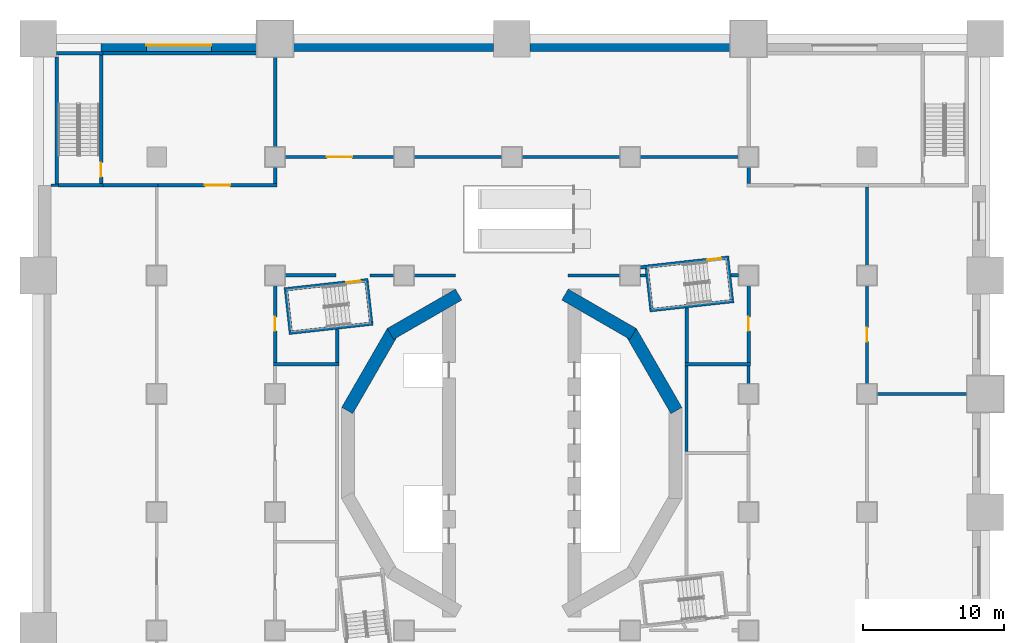
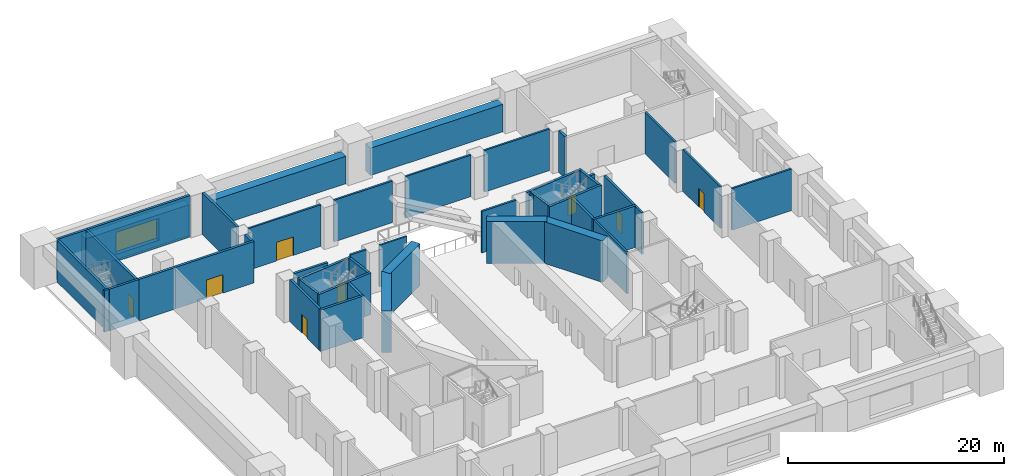
# One storey, part 4 of 18: 47 walls, 8 doors, 1 window, 9 openings.
"""IFC4 building model written with IfcOpenShell, lengths in metres."""

from ifc_helpers import new_model, si_unit, direction, frame, frame_2d, origin, place, context, subcontext, project, spatial, rectangle, extrude, material, layer, layer_set, type_object, element, fill, save


model = new_model("IFC4")

# Units and contexts
model_context = context("Model", 3, precision=1e-05, world=origin(), true_north=direction((0.0, 1.0)))
body_context = subcontext(model_context, "Body", "Model", "MODEL_VIEW")
ifc_project = project(units=[si_unit("LENGTHUNIT", "METRE"), si_unit("AREAUNIT", "SQUARE_METRE"), si_unit("VOLUMEUNIT", "CUBIC_METRE"), si_unit("PLANEANGLEUNIT", "RADIAN"), si_unit("MASSUNIT", "GRAM", prefix="KILO")], contexts=[model_context])

# Site, building, storey
site_placement = place(None, origin())
site = spatial("IfcSite", under=ifc_project, at=site_placement, CompositionType="ELEMENT")
building_placement = place(site_placement, origin())
building = spatial("IfcBuilding", under=site, at=building_placement, Name="Cantera Rosa Tower", CompositionType="ELEMENT")
storey_placement = place(building_placement, frame((0.0, 0.0, 17.0)))
storey = spatial("IfcBuildingStorey", under=building, at=storey_placement, Name="L02", CompositionType="ELEMENT", Elevation=17.0)

# Walls
ifc_material_1 = material(Name="Masonry blockwork", Category="masonry")
ifc_layer_1 = layer(ifc_material_1, 0.199951171875)
ifc_layer_set_1 = layer_set([ifc_layer_1], Name="Blockwork partition 200")
wall_type_1 = type_object("IfcWallType", Name="Blockwork partition 200", PredefinedType="PARTITIONING", material=ifc_layer_set_1)
wall_1_placement = place(storey_placement, frame((-10.07470703125, 12.60009765625, 0.0), z_axis=(0.0, 0.0, 1.0), x_axis=(1.0, 0.0, 0.0)))
element("IfcWall", 1, at=wall_1_placement, inside=storey, type_object=wall_type_1, Name="Partition L02-13", PredefinedType="PARTITIONING", context=body_context, shape_type="SweptSolid", body=[
    extrude(rectangle(XDim=1.724609375, YDim=0.199951171875, at=frame_2d((0.8623046875, 0.0))), origin(), (0.0, 0.0, 1.0), 4.699951171875),
])
wall_2_placement = place(storey_placement, frame((-6.949951171875, 12.60009765625, 0.0), z_axis=(0.0, 0.0, 1.0), x_axis=(1.0, 0.0, 0.0)))
element("IfcWall", 2, at=wall_2_placement, inside=storey, type_object=wall_type_1, Name="Partition L02-14", PredefinedType="PARTITIONING", context=body_context, shape_type="SweptSolid", body=[
    extrude(rectangle(XDim=2.949951171875, YDim=0.199951171875, at=frame_2d((1.47509765625, 0.0))), origin(), (0.0, 0.0, 1.0), 4.699951171875),
])
wall_3_placement = place(storey_placement, frame((4.0, 12.60009765625, 0.0), z_axis=(0.0, 0.0, 1.0), x_axis=(1.0, 0.0, 0.0)))
element("IfcWall", 3, at=wall_3_placement, inside=storey, type_object=wall_type_1, Name="Partition L02-15", PredefinedType="PARTITIONING", context=body_context, shape_type="SweptSolid", body=[
    extrude(rectangle(XDim=3.699951171875, YDim=0.199951171875, at=frame_2d((1.85009765625, 0.0))), origin(), (0.0, 0.0, 1.0), 4.699951171875),
])
wall_4_placement = place(storey_placement, frame((9.10009765625, 12.60009765625, 0.0), z_axis=(0.0, 0.0, 1.0), x_axis=(1.0, 0.0, 0.0)))
element("IfcWall", 4, at=wall_4_placement, inside=storey, type_object=wall_type_1, Name="Partition L02-16", PredefinedType="PARTITIONING", context=body_context, shape_type="SweptSolid", body=[
    extrude(rectangle(XDim=0.414794921875, YDim=0.199951171875, at=frame_2d((0.20751953125, 0.0))), origin(), (0.0, 0.0, 1.0), 4.699951171875),
])
wall_5_placement = place(storey_placement, frame((12.39990234375, 0.10009765625, 0.0), z_axis=(0.0, 0.0, 1.0), x_axis=(0.0, 1.0, 0.0)))
element("IfcWall", 5, at=wall_5_placement, inside=storey, type_object=wall_type_1, Name="Partition L02-20", PredefinedType="PARTITIONING", context=body_context, shape_type="SweptSolid", body=[
    extrude(rectangle(XDim=6.074951171875, YDim=0.199951171875, at=frame_2d((3.03759765625, 0.0))), origin(), (0.0, 0.0, 1.0), 4.699951171875),
])
wall_6_placement = place(storey_placement, frame((16.800048828125, 4.89990234375, 0.0), z_axis=(0.0, 0.0, 1.0), x_axis=(0.0, 1.0, 0.0)))
element("IfcWall", 6, at=wall_6_placement, inside=storey, type_object=wall_type_1, Name="Partition L02-28", PredefinedType="PARTITIONING", context=body_context, shape_type="SweptSolid", body=[
    extrude(rectangle(XDim=1.275146484375, YDim=0.199951171875, at=frame_2d((0.6376953125, 0.0))), origin(), (0.0, 0.0, 1.0), 4.699951171875),
])
wall_7_placement = place(storey_placement, frame((-32.699951171875, 19.0, 0.0), z_axis=(0.0, 0.0, 1.0), x_axis=(1.0, 0.0, 0.0)))
element("IfcWall", 7, at=wall_7_placement, inside=storey, type_object=wall_type_1, Name="Partition L02-54", PredefinedType="PARTITIONING", context=body_context, shape_type="SweptSolid", body=[
    extrude(rectangle(XDim=0.52490234375, YDim=0.199951171875, at=frame_2d((0.262451171875, 0.0))), origin(), (0.0, 0.0, 1.0), 4.699951171875),
])

# Wall, opening, door
wall_8_placement = place(storey_placement, frame((-16.10009765625, 21.0, 0.0), z_axis=(0.0, 0.0, 1.0), x_axis=(1.0, 0.0, 0.0)))
wall_8 = element("IfcWall", 8, at=wall_8_placement, inside=storey, type_object=wall_type_1, Name="Partition L02-76", PredefinedType="PARTITIONING", context=body_context, shape_type="SweptSolid", body=[
    extrude(rectangle(XDim=7.75, YDim=0.199951171875, at=frame_2d((3.875, 0.0))), origin(), (0.0, 0.0, 1.0), 4.699951171875),
])
opening_1_placement = place(wall_8_placement, frame((2.97509765625, 0.0, 0.0)))
opening_1 = element("IfcOpeningElement", 9, at=opening_1_placement, cuts=wall_8, Name="Opening L02-001", PredefinedType="OPENING", context=body_context, shape_type="SweptSolid", body=[
    extrude(rectangle(XDim=1.800048828125, YDim=2.10009765625, at=frame_2d((0.89990234375, 1.050048828125))), frame((0.0, 0.10986328125, 0.0), z_axis=(0.0, -1.0, 0.0), x_axis=(1.0, 0.0, 0.0)), (0.0, 0.0, 1.0), 0.219970703125),
])
ifc_material_2 = material(Name="Timber", Category="wood")
door_type_1 = type_object("IfcDoorType", Name="Double door 1800x2100", OperationType="NOTDEFINED", PredefinedType="DOOR", material=ifc_material_2)
door_1_placement = place(opening_1_placement, origin())
door_1 = element("IfcDoor", 10, at=door_1_placement, inside=storey, type_object=door_type_1, Name="Door L02-001", OperationType="DOUBLE_DOOR_SINGLE_SWING", OverallHeight=2.10009765625, OverallWidth=1.800048828125, PredefinedType="DOOR", context=body_context, shape_type="SweptSolid", body=[
    extrude(rectangle(XDim=1.800048828125, YDim=2.10009765625, at=frame_2d((0.89990234375, 1.050048828125))), frame((0.0, 0.02490234375, 0.0), z_axis=(0.0, -1.0, 0.0), x_axis=(1.0, 0.0, 0.0)), (0.0, 0.0, 1.0), 0.050048828125),
])
fill(opening_1, door_1)

# Walls
wall_9_placement = place(storey_placement, frame((-6.949951171875, 21.0, 0.0), z_axis=(0.0, 0.0, 1.0), x_axis=(1.0, 0.0, 0.0)))
element("IfcWall", 11, at=wall_9_placement, inside=storey, type_object=wall_type_1, Name="Partition L02-77", PredefinedType="PARTITIONING", context=body_context, shape_type="SweptSolid", body=[
    extrude(rectangle(XDim=6.25, YDim=0.199951171875, at=frame_2d((3.125, 0.0))), origin(), (0.0, 0.0, 1.0), 4.699951171875),
])
for number, where, z_axis, x_axis, name in (
    (12, (0.699951171875, 21.0, 0.0), (0.0, 0.0, 1.0), (1.0, 0.0, 0.0), "Partition L02-78"),
    (13, (9.10009765625, 21.0, 0.0), (0.0, 0.0, 1.0), (1.0, 0.0, 0.0), "Partition L02-79"),
):
    element("IfcWall", number, at=place(storey_placement, frame(where, z_axis=z_axis, x_axis=x_axis)), inside=storey, type_object=wall_type_1, Name=name, PredefinedType="PARTITIONING", context=body_context, shape_type="SweptSolid", body=[
        extrude(rectangle(XDim=7.0, YDim=0.199951171875, at=frame_2d((3.5, 0.0))), origin(), (0.0, 0.0, 1.0), 4.699951171875),
    ])

# Wall, opening, door
wall_10_placement = place(storey_placement, frame((25.199951171875, 4.89990234375, 0.0), z_axis=(0.0, 0.0, 1.0), x_axis=(0.0, 1.0, 0.0)))
wall_10 = element("IfcWall", 14, at=wall_10_placement, inside=storey, type_object=wall_type_1, Name="Partition L02-88", PredefinedType="PARTITIONING", context=body_context, shape_type="SweptSolid", body=[
    extrude(rectangle(XDim=7.0, YDim=0.199951171875, at=frame_2d((3.5, 0.0))), origin(), (0.0, 0.0, 1.0), 4.699951171875),
])
opening_2_placement = place(wall_10_placement, frame((3.0, 0.0, 0.0)))
opening_2 = element("IfcOpeningElement", 15, at=opening_2_placement, cuts=wall_10, Name="Opening L02-006", PredefinedType="OPENING", context=body_context, shape_type="SweptSolid", body=[
    extrude(rectangle(XDim=1.0, YDim=2.10009765625, at=frame_2d((0.5, 1.050048828125))), frame((0.0, 0.10986328125, 0.0), z_axis=(0.0, -1.0, 0.0), x_axis=(1.0, 0.0, 0.0)), (0.0, 0.0, 1.0), 0.219970703125),
])
ifc_material_3 = material(Name="Timber", Category="wood")
door_type_2 = type_object("IfcDoorType", Name="Door 1000x2100", OperationType="NOTDEFINED", PredefinedType="DOOR", material=ifc_material_3)
door_2_placement = place(opening_2_placement, origin())
door_2 = element("IfcDoor", 16, at=door_2_placement, inside=storey, type_object=door_type_2, Name="Door L02-006", OverallHeight=2.10009765625, OverallWidth=1.0, PredefinedType="DOOR", context=body_context, shape_type="SweptSolid", body=[
    extrude(rectangle(XDim=1.0, YDim=2.10009765625, at=frame_2d((0.5, 1.050048828125))), frame((0.0, 0.02490234375, 0.0), z_axis=(0.0, -1.0, 0.0), x_axis=(1.0, 0.0, 0.0)), (0.0, 0.0, 1.0), 0.050048828125),
])
fill(opening_2, door_2)

# Walls
wall_11_placement = place(storey_placement, frame((25.199951171875, 13.300048828125, 0.0), z_axis=(0.0, 0.0, 1.0), x_axis=(0.0, 1.0, 0.0)))
element("IfcWall", 17, at=wall_11_placement, inside=storey, type_object=wall_type_1, Name="Partition L02-89", PredefinedType="PARTITIONING", context=body_context, shape_type="SweptSolid", body=[
    extrude(rectangle(XDim=5.574951171875, YDim=0.199951171875, at=frame_2d((2.78759765625, 0.0))), origin(), (0.0, 0.0, 1.0), 4.699951171875),
])
wall_12_placement = place(storey_placement, frame((25.89990234375, 4.199951171875, 0.0), z_axis=(0.0, 0.0, 1.0), x_axis=(1.0, 0.0, 0.0)))
element("IfcWall", 18, at=wall_12_placement, inside=storey, type_object=wall_type_1, Name="Partition L02-90", PredefinedType="PARTITIONING", context=body_context, shape_type="SweptSolid", body=[
    extrude(rectangle(XDim=6.400146484375, YDim=0.199951171875, at=frame_2d((3.2001953125, 0.0))), origin(), (0.0, 0.0, 1.0), 4.699951171875),
])
ifc_material_4 = material(Name="Concrete C70/85", Category="concrete")
ifc_layer_2 = layer(ifc_material_4, 0.89990234375)
ifc_layer_set_2 = layer_set([ifc_layer_2], Name="Drum wall 900")
wall_type_2 = type_object("IfcWallType", Name="Drum wall 900", PredefinedType="SHEAR", material=ifc_layer_set_2)
wall_13_placement = place(storey_placement, frame((-11.684326171875, 3.01025390625, 0.0), z_axis=(0.0, 0.0, 1.0), x_axis=(0.499990282633, 0.866031014036, 0.0)))
element("IfcWall", 19, at=wall_13_placement, inside=storey, type_object=wall_type_2, Name="Drum wall west 4 L02", PredefinedType="SHEAR", context=body_context, shape_type="SweptSolid", body=[
    extrude(rectangle(XDim=6.470458984375, YDim=0.89990234375, at=frame_2d((3.2353515625, 0.0))), origin(), (0.0, 0.0, 1.0), 4.699951171875),
])
for number, where, z_axis, x_axis, name in (
    (20, (-8.61376953125, 8.44921875, 0.0), (0.0, 0.0, 1.0), (0.866026961591, 0.49999730179, 0.0), "Drum wall west 5 L02"),
    (21, (3.77490234375, 11.242919921875, 0.0), (0.0, 0.0, 1.0), (0.866026961591, -0.49999730179, 0.0), "Drum wall east 1 L02"),
):
    element("IfcWall", number, at=place(storey_placement, frame(where, z_axis=z_axis, x_axis=x_axis)), inside=storey, type_object=wall_type_2, Name=name, PredefinedType="SHEAR", context=body_context, shape_type="SweptSolid", body=[
        extrude(rectangle(XDim=5.58740234375, YDim=0.89990234375, at=frame_2d((2.793701171875, 0.0))), origin(), (0.0, 0.0, 1.0), 4.699951171875),
    ])
wall_14_placement = place(storey_placement, frame((8.44921875, 8.61376953125, 0.0), z_axis=(0.0, 0.0, 1.0), x_axis=(0.499990282633, -0.866031014036, 0.0)))
element("IfcWall", 22, at=wall_14_placement, inside=storey, type_object=wall_type_2, Name="Drum wall east 2 L02", PredefinedType="SHEAR", context=body_context, shape_type="SweptSolid", body=[
    extrude(rectangle(XDim=6.470458984375, YDim=0.89990234375, at=frame_2d((3.2353515625, 0.0))), origin(), (0.0, 0.0, 1.0), 4.699951171875),
])
ifc_material_5 = material(Name="Concrete C50/60", Category="concrete")
ifc_layer_3 = layer(ifc_material_5, 0.25)
ifc_layer_set_3 = layer_set([ifc_layer_3], Name="External stair wall 250")
wall_type_3 = type_object("IfcWallType", Name="External stair wall 250", PredefinedType="SOLIDWALL", material=ifc_layer_set_3)
wall_15_placement = place(storey_placement, frame((-32.300048828125, 28.375, 0.0), z_axis=(0.0, 0.0, 1.0), x_axis=(1.0, 0.0, 0.0)))
element("IfcWall", 23, at=wall_15_placement, inside=storey, type_object=wall_type_3, Name="Stair wall L02-48", PredefinedType="SOLIDWALL", context=body_context, shape_type="SweptSolid", body=[
    extrude(rectangle(XDim=3.275146484375, YDim=0.25, at=frame_2d((1.6376953125, 0.0))), origin(), (0.0, 0.0, 1.0), 4.699951171875),
])
ifc_material_6 = material(Name="Masonry blockwork", Category="masonry")
ifc_layer_4 = layer(ifc_material_6, 0.25)
ifc_layer_set_4 = layer_set([ifc_layer_4], Name="Fire-rated external wall 250")
wall_type_4 = type_object("IfcWallType", Name="Fire-rated external wall 250", PredefinedType="PARTITIONING", material=ifc_layer_set_4)
wall_16_placement = place(storey_placement, frame((-29.02490234375, 28.375, 0.0), z_axis=(0.0, 0.0, 1.0), x_axis=(1.0, 0.0, 0.0)))
element("IfcWall", 24, at=wall_16_placement, inside=storey, type_object=wall_type_4, Name="Fire wall L02-49", PredefinedType="PARTITIONING", context=body_context, shape_type="SweptSolid", body=[
    extrude(rectangle(XDim=10.9248046875, YDim=0.25, at=frame_2d((5.46240234375, 0.0))), origin(), (0.0, 0.0, 1.0), 4.699951171875),
])
ifc_material_7 = material(Name="Masonry blockwork", Category="masonry")
ifc_layer_5 = layer(ifc_material_7, 0.25)
ifc_layer_set_5 = layer_set([ifc_layer_5], Name="Fire-rated wall 250")
wall_type_5 = type_object("IfcWallType", Name="Fire-rated wall 250", PredefinedType="PARTITIONING", material=ifc_layer_set_5)
wall_17_placement = place(storey_placement, frame((-12.39990234375, 6.425048828125, 0.0), z_axis=(0.0, 0.0, 1.0), x_axis=(0.0, 1.0, 0.0)))
element("IfcWall", 25, at=wall_17_placement, inside=storey, type_object=wall_type_5, Name="Fire wall L02-11", PredefinedType="PARTITIONING", context=body_context, shape_type="SweptSolid", body=[
    extrude(rectangle(XDim=2.356201171875, YDim=0.25, at=frame_2d((1.17822265625, 0.0))), origin(), (0.0, 0.0, 1.0), 4.699951171875),
])
wall_18_placement = place(storey_placement, frame((-16.10009765625, 12.60009765625, 0.0), z_axis=(0.0, 0.0, 1.0), x_axis=(1.0, 0.0, 0.0)))
element("IfcWall", 26, at=wall_18_placement, inside=storey, type_object=wall_type_5, Name="Fire wall L02-12", PredefinedType="PARTITIONING", context=body_context, shape_type="SweptSolid", body=[
    extrude(rectangle(XDim=3.610595703125, YDim=0.25, at=frame_2d((1.80517578125, 0.0))), origin(), (0.0, 0.0, 1.0), 4.699951171875),
])
wall_19_placement = place(storey_placement, frame((15.5517578125, 12.60009765625, 0.0), z_axis=(0.0, 0.0, 1.0), x_axis=(1.0, 0.0, 0.0)))
element("IfcWall", 27, at=wall_19_placement, inside=storey, type_object=wall_type_5, Name="Fire wall L02-17", PredefinedType="PARTITIONING", context=body_context, shape_type="SweptSolid", body=[
    extrude(rectangle(XDim=0.54833984375, YDim=0.25, at=frame_2d((0.274169921875, 0.0))), origin(), (0.0, 0.0, 1.0), 4.699951171875),
])

# Wall, opening, door
wall_20_placement = place(storey_placement, frame((16.800048828125, 6.425048828125, 0.0), z_axis=(0.0, 0.0, 1.0), x_axis=(0.0, 1.0, 0.0)))
wall_20 = element("IfcWall", 28, at=wall_20_placement, inside=storey, type_object=wall_type_5, Name="Fire wall L02-29", PredefinedType="PARTITIONING", context=body_context, shape_type="SweptSolid", body=[
    extrude(rectangle(XDim=5.474853515625, YDim=0.25, at=frame_2d((2.7373046875, 0.0))), origin(), (0.0, 0.0, 1.0), 4.699951171875),
])
opening_3_placement = place(wall_20_placement, frame((2.237548828125, 0.0, 0.0)))
opening_3 = element("IfcOpeningElement", 29, at=opening_3_placement, cuts=wall_20, Name="Opening L02-010", PredefinedType="OPENING", context=body_context, shape_type="SweptSolid", body=[
    extrude(rectangle(XDim=1.0, YDim=2.10009765625, at=frame_2d((0.5, 1.050048828125))), frame((0.0, 0.135009765625, 0.0), z_axis=(0.0, -1.0, 0.0), x_axis=(1.0, 0.0, 0.0)), (0.0, 0.0, 1.0), 0.27001953125),
])
ifc_material_8 = material(Name="Steel S355J2 (EN 10025-2)", Category="steel")
door_type_3 = type_object("IfcDoorType", Name="Fire door 1000x2100 EI 120", OperationType="NOTDEFINED", PredefinedType="DOOR", material=ifc_material_8)
door_3_placement = place(opening_3_placement, origin())
door_3 = element("IfcDoor", 30, at=door_3_placement, inside=storey, type_object=door_type_3, Name="Door L02-010", OverallHeight=2.10009765625, OverallWidth=1.0, PredefinedType="DOOR", context=body_context, shape_type="SweptSolid", body=[
    extrude(rectangle(XDim=1.0, YDim=2.10009765625, at=frame_2d((0.5, 1.050048828125))), frame((0.0, 0.02490234375, 0.0), z_axis=(0.0, -1.0, 0.0), x_axis=(1.0, 0.0, 0.0)), (0.0, 0.0, 1.0), 0.050048828125),
])
fill(opening_3, door_3)

# Walls
wall_21_placement = place(storey_placement, frame((16.800048828125, 19.125, 0.0), z_axis=(0.0, 0.0, 1.0), x_axis=(0.0, 1.0, 0.0)))
element("IfcWall", 31, at=wall_21_placement, inside=storey, type_object=wall_type_5, Name="Fire wall L02-30", PredefinedType="PARTITIONING", context=body_context, shape_type="SweptSolid", body=[
    extrude(rectangle(XDim=1.175048828125, YDim=0.25, at=frame_2d((0.58740234375, 0.0))), origin(), (0.0, 0.0, 1.0), 4.699951171875),
])
for number, where, z_axis, x_axis, name in (
    (32, (-16.925048828125, 6.300048828125, 0.0), (0.0, 0.0, 1.0), (1.0, 0.0, 0.0), "Fire wall L02-33"),
    (33, (12.27490234375, 6.300048828125, 0.0), (0.0, 0.0, 1.0), (1.0, 0.0, 0.0), "Fire wall L02-34"),
):
    element("IfcWall", number, at=place(storey_placement, frame(where, z_axis=z_axis, x_axis=x_axis)), inside=storey, type_object=wall_type_5, Name=name, PredefinedType="PARTITIONING", context=body_context, shape_type="SweptSolid", body=[
        extrude(rectangle(XDim=4.650146484375, YDim=0.25, at=frame_2d((2.3251953125, 0.0))), origin(), (0.0, 0.0, 1.0), 4.699951171875),
    ])

# Wall, opening, door
wall_22_placement = place(storey_placement, frame((-16.800048828125, 6.425048828125, 0.0), z_axis=(0.0, 0.0, 1.0), x_axis=(0.0, 1.0, 0.0)))
wall_22 = element("IfcWall", 34, at=wall_22_placement, inside=storey, type_object=wall_type_5, Name="Fire wall L02-41", PredefinedType="PARTITIONING", context=body_context, shape_type="SweptSolid", body=[
    extrude(rectangle(XDim=5.474853515625, YDim=0.25, at=frame_2d((2.7373046875, 0.0))), origin(), (0.0, 0.0, 1.0), 4.699951171875),
])
opening_4_placement = place(wall_22_placement, frame((2.237548828125, 0.0, 0.0)))
opening_4 = element("IfcOpeningElement", 35, at=opening_4_placement, cuts=wall_22, Name="Opening L02-013", PredefinedType="OPENING", context=body_context, shape_type="SweptSolid", body=[
    extrude(rectangle(XDim=1.0, YDim=2.10009765625, at=frame_2d((0.5, 1.050048828125))), frame((0.0, 0.135009765625, 0.0), z_axis=(0.0, -1.0, 0.0), x_axis=(1.0, 0.0, 0.0)), (0.0, 0.0, 1.0), 0.27001953125),
])
door_4_placement = place(opening_4_placement, origin())
door_4 = element("IfcDoor", 36, at=door_4_placement, inside=storey, type_object=door_type_3, Name="Door L02-013", OverallHeight=2.10009765625, OverallWidth=1.0, PredefinedType="DOOR", context=body_context, shape_type="SweptSolid", body=[
    extrude(rectangle(XDim=1.0, YDim=2.10009765625, at=frame_2d((0.5, 1.050048828125))), frame((0.0, 0.02490234375, 0.0), z_axis=(0.0, -1.0, 0.0), x_axis=(1.0, 0.0, 0.0)), (0.0, 0.0, 1.0), 0.050048828125),
])
fill(opening_4, door_4)

# Walls
wall_23_placement = place(storey_placement, frame((-16.800048828125, 19.125, 0.0), z_axis=(0.0, 0.0, 1.0), x_axis=(0.0, 1.0, 0.0)))
element("IfcWall", 37, at=wall_23_placement, inside=storey, type_object=wall_type_5, Name="Fire wall L02-42", PredefinedType="PARTITIONING", context=body_context, shape_type="SweptSolid", body=[
    extrude(rectangle(XDim=1.175048828125, YDim=0.25, at=frame_2d((0.58740234375, 0.0))), origin(), (0.0, 0.0, 1.0), 4.699951171875),
])
wall_24_placement = place(storey_placement, frame((-16.800048828125, 21.699951171875, 0.0), z_axis=(0.0, 0.0, 1.0), x_axis=(0.0, 1.0, 0.0)))
element("IfcWall", 38, at=wall_24_placement, inside=storey, type_object=wall_type_5, Name="Fire wall L02-43", PredefinedType="PARTITIONING", context=body_context, shape_type="SweptSolid", body=[
    extrude(rectangle(XDim=6.400146484375, YDim=0.25, at=frame_2d((3.2001953125, 0.0))), origin(), (0.0, 0.0, 1.0), 4.699951171875),
])
wall_25_placement = place(storey_placement, frame((-29.02490234375, 19.0, 0.0), z_axis=(0.0, 0.0, 1.0), x_axis=(1.0, 0.0, 0.0)))
element("IfcWall", 39, at=wall_25_placement, inside=storey, type_object=wall_type_5, Name="Fire wall L02-56", PredefinedType="PARTITIONING", context=body_context, shape_type="SweptSolid", body=[
    extrude(rectangle(XDim=3.9248046875, YDim=0.25, at=frame_2d((1.96240234375, 0.0))), origin(), (0.0, 0.0, 1.0), 4.699951171875),
])

# Wall, opening, door
wall_26_placement = place(storey_placement, frame((-25.10009765625, 19.0, 0.0), z_axis=(0.0, 0.0, 1.0), x_axis=(1.0, 0.0, 0.0)))
wall_26 = element("IfcWall", 40, at=wall_26_placement, inside=storey, type_object=wall_type_5, Name="Fire wall L02-57", PredefinedType="PARTITIONING", context=body_context, shape_type="SweptSolid", body=[
    extrude(rectangle(XDim=8.425048828125, YDim=0.25, at=frame_2d((4.21240234375, 0.0))), origin(), (0.0, 0.0, 1.0), 4.699951171875),
])
opening_5_placement = place(wall_26_placement, frame((3.3125, 0.0, 0.0)))
opening_5 = element("IfcOpeningElement", 41, at=opening_5_placement, cuts=wall_26, Name="Opening L02-016", PredefinedType="OPENING", context=body_context, shape_type="SweptSolid", body=[
    extrude(rectangle(XDim=1.800048828125, YDim=2.10009765625, at=frame_2d((0.89990234375, 1.050048828125))), frame((0.0, 0.135009765625, 0.0), z_axis=(0.0, -1.0, 0.0), x_axis=(1.0, 0.0, 0.0)), (0.0, 0.0, 1.0), 0.27001953125),
])
ifc_material_9 = material(Name="Steel S355J2 (EN 10025-2)", Category="steel")
door_type_4 = type_object("IfcDoorType", Name="Fire double door 1800x2100", OperationType="NOTDEFINED", PredefinedType="DOOR", material=ifc_material_9)
door_5_placement = place(opening_5_placement, origin())
door_5 = element("IfcDoor", 42, at=door_5_placement, inside=storey, type_object=door_type_4, Name="Door L02-016", OperationType="DOUBLE_DOOR_SINGLE_SWING", OverallHeight=2.10009765625, OverallWidth=1.800048828125, PredefinedType="DOOR", context=body_context, shape_type="SweptSolid", body=[
    extrude(rectangle(XDim=1.800048828125, YDim=2.10009765625, at=frame_2d((0.89990234375, 1.050048828125))), frame((0.0, 0.02490234375, 0.0), z_axis=(0.0, -1.0, 0.0), x_axis=(1.0, 0.0, 0.0)), (0.0, 0.0, 1.0), 0.050048828125),
])
fill(opening_5, door_5)

# Walls
ifc_material_10 = material(Name="Concrete C50/60", Category="concrete")
ifc_layer_6 = layer(ifc_material_10, 0.25)
ifc_layer_set_6 = layer_set([ifc_layer_6], Name="RC stair wall 250 C50/60")
wall_type_6 = type_object("IfcWallType", Name="RC stair wall 250", PredefinedType="SOLIDWALL", material=ifc_layer_set_6)
wall_27_placement = place(storey_placement, frame((12.39990234375, 6.425048828125, 0.0), z_axis=(0.0, 0.0, 1.0), x_axis=(0.0, 1.0, 0.0)))
element("IfcWall", 43, at=wall_27_placement, inside=storey, type_object=wall_type_6, Name="Fire wall L02-21", PredefinedType="PARTITIONING", context=body_context, shape_type="SweptSolid", body=[
    extrude(rectangle(XDim=3.867431640625, YDim=0.25, at=frame_2d((1.93359375, 0.0))), origin(), (0.0, 0.0, 1.0), 4.699951171875),
])
wall_28_placement = place(storey_placement, frame((-32.175048828125, 19.0, 0.0), z_axis=(0.0, 0.0, 1.0), x_axis=(1.0, 0.0, 0.0)))
element("IfcWall", 44, at=wall_28_placement, inside=storey, type_object=wall_type_6, Name="Stair wall L02-55", PredefinedType="SOLIDWALL", context=body_context, shape_type="SweptSolid", body=[
    extrude(rectangle(XDim=3.150146484375, YDim=0.25, at=frame_2d((1.5751953125, 0.0))), origin(), (0.0, 0.0, 1.0), 4.699951171875),
])

# Wall, opening, door
wall_29_placement = place(storey_placement, frame((-29.14990234375, 19.125, 0.0), z_axis=(0.0, 0.0, 1.0), x_axis=(0.0, 1.0, 0.0)))
wall_29 = element("IfcWall", 45, at=wall_29_placement, inside=storey, type_object=wall_type_6, Name="Stair wall L02-62", PredefinedType="SOLIDWALL", context=body_context, shape_type="SweptSolid", body=[
    extrude(rectangle(XDim=9.25, YDim=0.25, at=frame_2d((4.625, 0.0))), origin(), (0.0, 0.0, 1.0), 4.699951171875),
])
opening_6_placement = place(wall_29_placement, frame((0.47509765625, 0.0, 0.0)))
opening_6 = element("IfcOpeningElement", 46, at=opening_6_placement, cuts=wall_29, Name="Opening L02-017", PredefinedType="OPENING", context=body_context, shape_type="SweptSolid", body=[
    extrude(rectangle(XDim=1.0, YDim=2.10009765625, at=frame_2d((0.5, 1.050048828125))), frame((0.0, 0.135009765625, 0.0), z_axis=(0.0, -1.0, 0.0), x_axis=(1.0, 0.0, 0.0)), (0.0, 0.0, 1.0), 0.27001953125),
])
door_6_placement = place(opening_6_placement, origin())
door_6 = element("IfcDoor", 47, at=door_6_placement, inside=storey, type_object=door_type_3, Name="Door L02-017", OverallHeight=2.10009765625, OverallWidth=1.0, PredefinedType="DOOR", context=body_context, shape_type="SweptSolid", body=[
    extrude(rectangle(XDim=1.0, YDim=2.10009765625, at=frame_2d((0.5, 1.050048828125))), frame((0.0, 0.02490234375, 0.0), z_axis=(0.0, -1.0, 0.0), x_axis=(1.0, 0.0, 0.0)), (0.0, 0.0, 1.0), 0.050048828125),
])
fill(opening_6, door_6)

# Walls
wall_30_placement = place(storey_placement, frame((-32.300048828125, 19.10009765625, 0.0), z_axis=(0.0, 0.0, 1.0), x_axis=(0.0, 1.0, 0.0)))
element("IfcWall", 48, at=wall_30_placement, inside=storey, type_object=wall_type_6, Name="Stair wall L02-64", PredefinedType="SOLIDWALL", context=body_context, shape_type="SweptSolid", body=[
    extrude(rectangle(XDim=9.0, YDim=0.25, at=frame_2d((4.5, 0.0))), origin(), (0.0, 0.0, 1.0), 4.699951171875),
])
wall_31_placement = place(storey_placement, frame((15.30029296875, 13.7333984375, 0.0), z_axis=(0.0, 0.0, 1.0), x_axis=(0.110252878147, -0.99390356819, 0.0)))
element("IfcWall", 49, at=wall_31_placement, inside=storey, type_object=wall_type_6, Name="Stair wall ST-11 L02-1", PredefinedType="SOLIDWALL", context=body_context, shape_type="SweptSolid", body=[
    extrude(rectangle(XDim=2.849853515625, YDim=0.25, at=frame_2d((1.4248046875, 0.0))), origin(), (0.0, 0.0, 1.0), 4.699951171875),
])
wall_32_placement = place(storey_placement, frame((15.752685546875, 10.790283203125, 0.0), z_axis=(0.0, 0.0, 1.0), x_axis=(-0.993897125329, -0.110310943534, 0.0)))
element("IfcWall", 50, at=wall_32_placement, inside=storey, type_object=wall_type_6, Name="Stair wall ST-11 L02-2", PredefinedType="SOLIDWALL", context=body_context, shape_type="SweptSolid", body=[
    extrude(rectangle(XDim=6.0, YDim=0.25, at=frame_2d((3.0, 0.0))), origin(), (0.0, 0.0, 1.0), 4.699951171875),
])
wall_33_placement = place(storey_placement, frame((9.899658203125, 10.2666015625, 0.0), z_axis=(0.0, 0.0, 1.0), x_axis=(-0.110252878147, 0.99390356819, 0.0)))
element("IfcWall", 51, at=wall_33_placement, inside=storey, type_object=wall_type_6, Name="Stair wall ST-11 L02-3", PredefinedType="SOLIDWALL", context=body_context, shape_type="SweptSolid", body=[
    extrude(rectangle(XDim=2.849853515625, YDim=0.25, at=frame_2d((1.4248046875, 0.0))), origin(), (0.0, 0.0, 1.0), 4.699951171875),
])

# Wall, opening, door
wall_34_placement = place(storey_placement, frame((9.1123046875, 13.17236328125, 0.0), z_axis=(0.0, 0.0, 1.0), x_axis=(0.993894066567, 0.110338499366, 0.0)))
wall_34 = element("IfcWall", 52, at=wall_34_placement, inside=storey, type_object=wall_type_6, Name="Stair wall ST-11 L02-4", PredefinedType="SOLIDWALL", context=body_context, shape_type="SweptSolid", body=[
    extrude(rectangle(XDim=6.3369140625, YDim=0.25, at=frame_2d((3.16845703125, 0.0))), origin(), (0.0, 0.0, 1.0), 4.699951171875),
])
opening_7_placement = place(wall_34_placement, frame((4.786865234375, 0.0, 0.0)))
opening_7 = element("IfcOpeningElement", 53, at=opening_7_placement, cuts=wall_34, Name="Opening L02-ST-11", PredefinedType="OPENING", context=body_context, shape_type="SweptSolid", body=[
    extrude(rectangle(XDim=1.0, YDim=2.10009765625, at=frame_2d((0.5, 1.050048828125))), frame((0.0, 0.135009765625, 0.0), z_axis=(0.0, -1.0, 0.0), x_axis=(1.0, 0.0, 0.0)), (0.0, 0.0, 1.0), 0.27001953125),
])
door_7_placement = place(opening_7_placement, origin())
door_7 = element("IfcDoor", 54, at=door_7_placement, inside=storey, type_object=door_type_3, Name="Door L02-ST-11", OverallHeight=2.10009765625, OverallWidth=1.0, PredefinedType="DOOR", context=body_context, shape_type="SweptSolid", body=[
    extrude(rectangle(XDim=1.0, YDim=2.10009765625, at=frame_2d((0.5, 1.050048828125))), frame((0.0, 0.02490234375, 0.0), z_axis=(0.0, -1.0, 0.0), x_axis=(1.0, 0.0, 0.0)), (0.0, 0.0, 1.0), 0.050048828125),
])
fill(opening_7, door_7)

# Walls
wall_35_placement = place(storey_placement, frame((-10.2998046875, 12.133544921875, 0.0), z_axis=(0.0, 0.0, 1.0), x_axis=(0.110328108544, -0.993895220063, 0.0)))
element("IfcWall", 55, at=wall_35_placement, inside=storey, type_object=wall_type_6, Name="Stair wall ST-12 L02-1", PredefinedType="SOLIDWALL", context=body_context, shape_type="SweptSolid", body=[
    extrude(rectangle(XDim=2.85009765625, YDim=0.25, at=frame_2d((1.425048828125, 0.0))), origin(), (0.0, 0.0, 1.0), 4.699951171875),
])
wall_36_placement = place(storey_placement, frame((-9.847412109375, 9.1904296875, 0.0), z_axis=(0.0, 0.0, 1.0), x_axis=(-0.993897125329, -0.110310943534, 0.0)))
element("IfcWall", 56, at=wall_36_placement, inside=storey, type_object=wall_type_6, Name="Stair wall ST-12 L02-2", PredefinedType="SOLIDWALL", context=body_context, shape_type="SweptSolid", body=[
    extrude(rectangle(XDim=6.0, YDim=0.25, at=frame_2d((3.0, 0.0))), origin(), (0.0, 0.0, 1.0), 4.699951171875),
])
wall_37_placement = place(storey_placement, frame((-15.7001953125, 8.66650390625, 0.0), z_axis=(0.0, 0.0, 1.0), x_axis=(-0.110328108544, 0.993895220063, 0.0)))
element("IfcWall", 57, at=wall_37_placement, inside=storey, type_object=wall_type_6, Name="Stair wall ST-12 L02-3", PredefinedType="SOLIDWALL", context=body_context, shape_type="SweptSolid", body=[
    extrude(rectangle(XDim=2.85009765625, YDim=0.25, at=frame_2d((1.425048828125, 0.0))), origin(), (0.0, 0.0, 1.0), 4.699951171875),
])

# Wall, opening, door
wall_38_placement = place(storey_placement, frame((-16.152587890625, 11.609619140625, 0.0), z_axis=(0.0, 0.0, 1.0), x_axis=(0.993897125329, 0.110310943534, 0.0)))
wall_38 = element("IfcWall", 58, at=wall_38_placement, inside=storey, type_object=wall_type_6, Name="Stair wall ST-12 L02-4", PredefinedType="SOLIDWALL", context=body_context, shape_type="SweptSolid", body=[
    extrude(rectangle(XDim=6.0, YDim=0.25, at=frame_2d((3.0, 0.0))), origin(), (0.0, 0.0, 1.0), 4.699951171875),
])
opening_8_placement = place(wall_38_placement, frame((4.449951171875, 0.0, 0.0)))
opening_8 = element("IfcOpeningElement", 59, at=opening_8_placement, cuts=wall_38, Name="Opening L02-ST-12", PredefinedType="OPENING", context=body_context, shape_type="SweptSolid", body=[
    extrude(rectangle(XDim=1.0, YDim=2.10009765625, at=frame_2d((0.5, 1.050048828125))), frame((0.0, 0.135009765625, 0.0), z_axis=(0.0, -1.0, 0.0), x_axis=(1.0, 0.0, 0.0)), (0.0, 0.0, 1.0), 0.27001953125),
])
door_8_placement = place(opening_8_placement, origin())
door_8 = element("IfcDoor", 60, at=door_8_placement, inside=storey, type_object=door_type_3, Name="Door L02-ST-12", OverallHeight=2.10009765625, OverallWidth=1.0, PredefinedType="DOOR", context=body_context, shape_type="SweptSolid", body=[
    extrude(rectangle(XDim=1.0, YDim=2.10009765625, at=frame_2d((0.5, 1.050048828125))), frame((0.0, 0.02490234375, 0.0), z_axis=(0.0, -1.0, 0.0), x_axis=(1.0, 0.0, 0.0)), (0.0, 0.0, 1.0), 0.050048828125),
])
fill(opening_8, door_8)

# Wall, opening, window
ifc_material_11 = material(Name="Concrete C40/50 with limestone facing", Category="masonry")
ifc_layer_7 = layer(ifc_material_11, 0.89990234375)
ifc_layer_set_7 = layer_set([ifc_layer_7], Name="Stone podium wall 900")
wall_type_7 = type_object("IfcWallType", Name="Stone podium wall 900", PredefinedType="SOLIDWALL", material=ifc_layer_set_7)
wall_39_placement = place(storey_placement, frame((-29.14990234375, 28.949951171875, 0.0), z_axis=(0.0, 0.0, 1.0), x_axis=(1.0, 0.0, 0.0)))
wall_39 = element("IfcWall", 61, at=wall_39_placement, inside=storey, type_object=wall_type_7, Name="Stone wall N L02-1", PredefinedType="SOLIDWALL", context=body_context, shape_type="SweptSolid", body=[
    extrude(rectangle(XDim=11.0498046875, YDim=0.89990234375, at=frame_2d((5.52490234375, 0.0))), origin(), (0.0, 0.0, 1.0), 3.5),
])
opening_9_placement = place(wall_39_placement, frame((3.22509765625, 0.0, 0.60009765625)))
opening_9 = element("IfcOpeningElement", 62, at=opening_9_placement, cuts=wall_39, Name="Opening L02-PWN1", PredefinedType="OPENING", context=body_context, shape_type="SweptSolid", body=[
    extrude(rectangle(XDim=4.60009765625, YDim=2.5, at=frame_2d((2.300048828125, 1.25))), frame((0.0, 0.4599609375, 0.0), z_axis=(0.0, -1.0, 0.0), x_axis=(1.0, 0.0, 0.0)), (0.0, 0.0, 1.0), 0.919921875),
])
ifc_material_12 = material(Name="Glass", Category="glass")
window_type = type_object("IfcWindowType", Name="Podium window 4600x2500", PartitioningType="SINGLE_PANEL", PredefinedType="WINDOW", material=ifc_material_12)
window_placement = place(opening_9_placement, origin())
window = element("IfcWindow", 63, at=window_placement, inside=storey, type_object=window_type, Name="Podium window L02-N1", OverallHeight=2.5, OverallWidth=4.60009765625, PartitioningType="SINGLE_PANEL", PredefinedType="WINDOW", context=body_context, shape_type="SweptSolid", body=[
    extrude(rectangle(XDim=4.60009765625, YDim=2.5, at=frame_2d((2.300048828125, 1.25))), frame((0.0, 0.030029296875, 0.0), z_axis=(0.0, -1.0, 0.0), x_axis=(1.0, 0.0, 0.0)), (0.0, 0.0, 1.0), 0.06005859375),
])
fill(opening_9, window)

# Walls
ifc_material_13 = material(Name="Concrete C40/50 with limestone facing", Category="masonry")
ifc_layer_8 = layer(ifc_material_13, 0.89990234375)
ifc_layer_set_8 = layer_set([ifc_layer_8], Name="Stone podium wall 900 under deep girder")
wall_type_8 = type_object("IfcWallType", Name="Stone podium wall 900 under deep girder", PredefinedType="SOLIDWALL", material=ifc_layer_set_8)
for number, where, z_axis, x_axis, name in (
    (64, (-15.5, 28.949951171875, 0.0), (0.0, 0.0, 1.0), (1.0, 0.0, 0.0), "Stone wall N L02-2"),
    (65, (1.300048828125, 28.949951171875, 0.0), (0.0, 0.0, 1.0), (1.0, 0.0, 0.0), "Stone wall N L02-3"),
):
    element("IfcWall", number, at=place(storey_placement, frame(where, z_axis=z_axis, x_axis=x_axis)), inside=storey, type_object=wall_type_8, Name=name, PredefinedType="SOLIDWALL", context=body_context, shape_type="SweptSolid", body=[
        extrude(rectangle(XDim=14.199951171875, YDim=0.89990234375, at=frame_2d((7.10009765625, 0.0))), origin(), (0.0, 0.0, 1.0), 3.10009765625),
    ])

save(model, "model.ifc")
